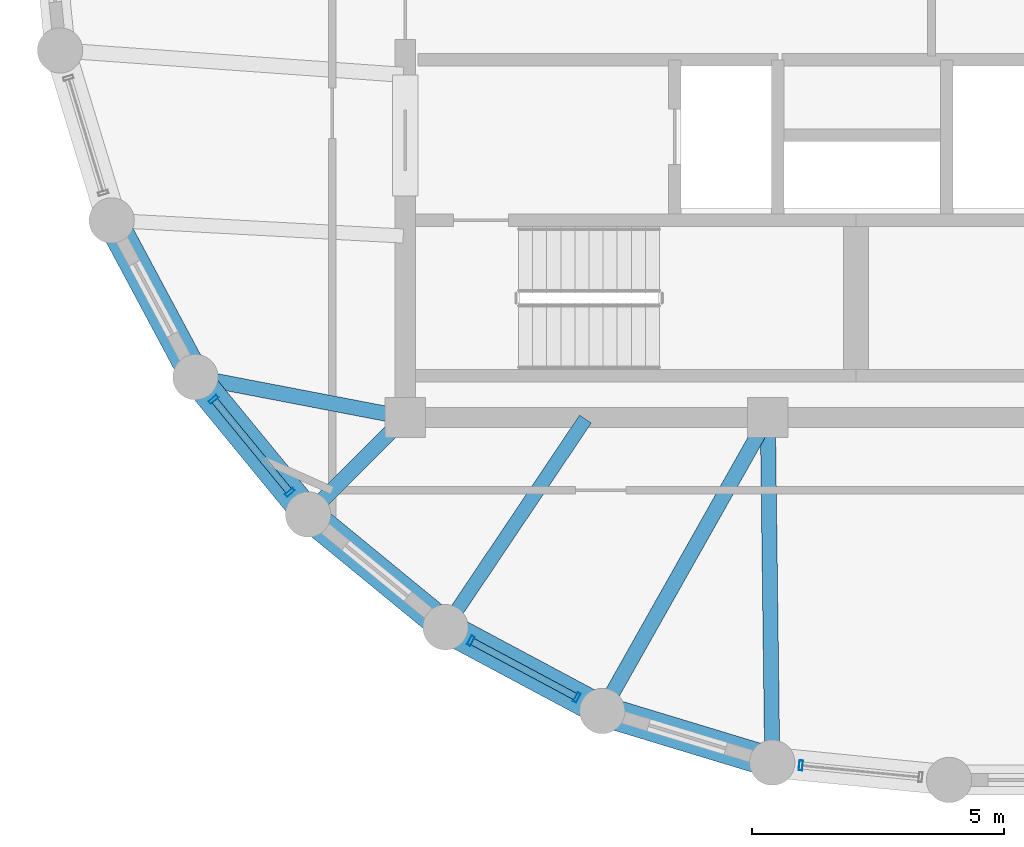
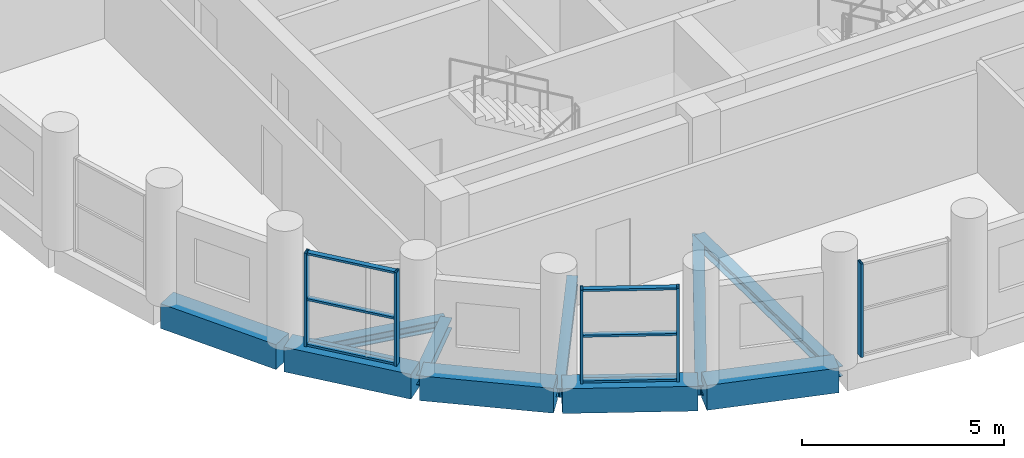
# One storey, part 2 of 17: 11 members, 10 beams, 3 elements without a shape of their own.
"""IFC4 building model written with IfcOpenShell, lengths in metres."""

from ifc_helpers import new_model, si_unit, direction, frame, origin, origin_2d, place, context, subcontext, project, spatial, rectangle, hollow_rectangle, i_section, extrude, material, layer, layer_set, material_profile, profile_set, type_object, element, aggregate, save


model = new_model("IFC4")

# Units and contexts
model_context = context("Model", 3, precision=1e-05, world=origin(), true_north=direction((0.0, 1.0)))
body_context = subcontext(model_context, "Body", "Model", "MODEL_VIEW")
ifc_project = project(units=[si_unit("LENGTHUNIT", "METRE"), si_unit("AREAUNIT", "SQUARE_METRE"), si_unit("VOLUMEUNIT", "CUBIC_METRE"), si_unit("PLANEANGLEUNIT", "RADIAN"), si_unit("MASSUNIT", "GRAM", prefix="KILO")], contexts=[model_context])

# Site, building, storey
site_placement = place(None, origin())
site = spatial("IfcSite", under=ifc_project, at=site_placement, CompositionType="ELEMENT")
building_placement = place(site_placement, origin())
building = spatial("IfcBuilding", under=site, at=building_placement, Name="Solnavia Interchange Tower", CompositionType="ELEMENT")
storey_placement = place(building_placement, frame((0.0, 0.0, 291.800048828125)))
storey = spatial("IfcBuildingStorey", under=building, at=storey_placement, Name="L74", CompositionType="ELEMENT", Elevation=291.800048828125)

# Beams
ifc_material_1 = material(Name="Steel S460", Category="steel")
ifc_material_profile_1 = material_profile(ifc_material_1, i_section(OverallWidth=0.300048828125, OverallDepth=0.300048828125, WebThickness=0.010986328125, FlangeThickness=0.01904296875, FilletRadius=0.027099609375, at=origin_2d()), Name="HEB 300")
ifc_profile_set_1 = profile_set([ifc_material_profile_1], Name="Steel S460")
beam_type_1 = type_object("IfcBeamType", Name="Beam-Girder-HEB300", PredefinedType="BEAM", material=ifc_profile_set_1)
beam_1_placement = place(storey_placement, frame((10.3125, 11.5849609375, -0.400146484375), z_axis=(0.982057527796, -0.188581579428, 0.0), x_axis=(0.188581579428, 0.982057527796, 0.0)))
element("IfcBeam", 1, at=beam_1_placement, inside=storey, type_object=beam_type_1, Name="GRD-L74-DR07 Drum radial floor girder", PredefinedType="BEAM", context=body_context, shape_type="SweptSolid", body=[
    extrude(i_section(OverallWidth=0.300048828125, OverallDepth=0.300048828125, WebThickness=0.010986328125, FlangeThickness=0.01904296875, FilletRadius=0.027099609375, at=origin_2d()), origin(), (0.0, 0.0, 1.0), 4.1220703125),
])
beam_2_placement = place(storey_placement, frame((18.351318359375, 5.039794921875, -0.400146484375), z_axis=(0.491243158486, 0.871022479182, 0.0), x_axis=(-0.871022479182, 0.491243158486, 0.0)))
element("IfcBeam", 2, at=beam_2_placement, inside=storey, type_object=beam_type_1, Name="GRD-L74-DR10 Drum radial floor girder", PredefinedType="BEAM", context=body_context, shape_type="SweptSolid", body=[
    extrude(i_section(OverallWidth=0.300048828125, OverallDepth=0.300048828125, WebThickness=0.010986328125, FlangeThickness=0.01904296875, FilletRadius=0.027099609375, at=origin_2d()), origin(), (0.0, 0.0, 1.0), 6.5732421875),
])
ifc_material_2 = material(Name="Steel S355", Category="steel")
ifc_material_profile_2 = material_profile(ifc_material_2, i_section(OverallWidth=0.280029296875, OverallDepth=0.27001953125, WebThickness=0.008056640625, FlangeThickness=0.012939453125, FilletRadius=0.02392578125, at=origin_2d()), Name="HEA 280")
ifc_profile_set_2 = profile_set([ifc_material_profile_2], Name="Steel S355")
beam_type_2 = type_object("IfcBeamType", Name="Beam-Primary-HEA280", PredefinedType="BEAM", material=ifc_profile_set_2)
beam_3_placement = place(storey_placement, frame((15.24462890625, 6.700439453125, -0.385009765625), z_axis=(0.557835474219, 0.829951555033, 0.0), x_axis=(-0.829951555033, 0.557835474219, 0.0)))
element("IfcBeam", 3, at=beam_3_placement, inside=storey, type_object=beam_type_2, Name="GRD-L74-DR09 Drum radial floor girder", PredefinedType="BEAM", context=body_context, shape_type="SweptSolid", body=[
    extrude(i_section(OverallWidth=0.280029296875, OverallDepth=0.27001953125, WebThickness=0.008056640625, FlangeThickness=0.012939453125, FilletRadius=0.02392578125, at=origin_2d()), origin(), (0.0, 0.0, 1.0), 4.899658203125),
])
ifc_material_profile_3 = material_profile(ifc_material_2, i_section(OverallWidth=0.300048828125, OverallDepth=0.31005859375, WebThickness=0.009033203125, FlangeThickness=0.015380859375, FilletRadius=0.027099609375, at=origin_2d()), Name="HEA 320")
ifc_profile_set_3 = profile_set([ifc_material_profile_3], Name="Steel S355")
beam_type_3 = type_object("IfcBeamType", Name="Beam-Primary-HEA320", PredefinedType="BEAM", material=ifc_profile_set_3)
beam_4_placement = place(storey_placement, frame((12.528564453125, 8.9287109375, -0.405029296875), z_axis=(0.707106781187, 0.707106781187, 0.0), x_axis=(-0.707106781187, 0.707106781187, 0.0)))
element("IfcBeam", 4, at=beam_4_placement, inside=storey, type_object=beam_type_3, Name="GRD-L74-DR08 Drum radial floor girder", PredefinedType="BEAM", context=body_context, shape_type="SweptSolid", body=[
    extrude(i_section(OverallWidth=0.300048828125, OverallDepth=0.31005859375, WebThickness=0.009033203125, FlangeThickness=0.015380859375, FilletRadius=0.027099609375, at=origin_2d()), origin(), (0.0, 0.0, 1.0), 2.6064453125),
])
beam_5_placement = place(storey_placement, frame((21.68701171875, 4.02587890625, -0.405029296875), z_axis=(-0.01283293513, 0.999917654498, 0.0), x_axis=(-0.999917654498, -0.01283293513, 0.0)))
element("IfcBeam", 5, at=beam_5_placement, inside=storey, type_object=beam_type_3, Name="GRD-L74-DR11 Drum radial floor girder", PredefinedType="BEAM", context=body_context, shape_type="SweptSolid", body=[
    extrude(i_section(OverallWidth=0.300048828125, OverallDepth=0.31005859375, WebThickness=0.009033203125, FlangeThickness=0.015380859375, FilletRadius=0.027099609375, at=origin_2d()), origin(), (0.0, 0.0, 1.0), 6.734619140625),
])
ifc_material_3 = material(Name="Concrete C50/60", Category="concrete")
ifc_material_profile_4 = material_profile(ifc_material_3, rectangle(XDim=0.60009765625, YDim=0.75, at=origin_2d()), Name="RC 600x750")
ifc_profile_set_4 = profile_set([ifc_material_profile_4], Name="Concrete C50/60")
beam_type_4 = type_object("IfcBeamType", Name="Beam-Spandrel-RC600x750", PredefinedType="SPANDREL", material=ifc_profile_set_4)
beam_6_placement = place(storey_placement, frame((8.607666015625, 14.6416015625, -0.375), z_axis=(0.471509422952, -0.881861023102, 0.0), x_axis=(0.881861023102, 0.471509422952, 0.0)))
element("IfcBeam", 6, at=beam_6_placement, inside=storey, type_object=beam_type_4, Name="SPB-L74-03 Framed-tube perimeter spandrel beam", PredefinedType="SPANDREL", context=body_context, shape_type="SweptSolid", body=[
    extrude(rectangle(XDim=0.60009765625, YDim=0.75, at=origin_2d()), origin(), (0.0, 0.0, 1.0), 3.369140625),
])
for number, where, z_axis, x_axis, name in (
    (7, (10.28466796875, 11.5380859375, -0.375), (0.634298841675, -0.773087950656, 0.0), (0.773087950656, 0.634298841675, 0.0), "SPB-L74-04 Framed-tube perimeter spandrel beam"),
    (8, (12.53369140625, 8.8212890625, -0.375), (0.773152644452, -0.634219984214, 0.0), (0.634219984214, 0.773152644452, 0.0), "SPB-L74-05 Framed-tube perimeter spandrel beam"),
):
    element("IfcBeam", number, at=place(storey_placement, frame(where, z_axis=z_axis, x_axis=x_axis)), inside=storey, type_object=beam_type_4, Name=name, PredefinedType="SPANDREL", context=body_context, shape_type="SweptSolid", body=[
        extrude(rectangle(XDim=0.60009765625, YDim=0.75, at=origin_2d()), origin(), (0.0, 0.0, 1.0), 3.36865234375),
    ])
beam_7_placement = place(storey_placement, frame((15.2705078125, 6.59619140625, -0.375), z_axis=(0.881875044348, -0.47148319817, 0.0), x_axis=(0.47148319817, 0.881875044348, 0.0)))
element("IfcBeam", 9, at=beam_7_placement, inside=storey, type_object=beam_type_4, Name="SPB-L74-06 Framed-tube perimeter spandrel beam", PredefinedType="SPANDREL", context=body_context, shape_type="SweptSolid", body=[
    extrude(rectangle(XDim=0.60009765625, YDim=0.75, at=origin_2d()), origin(), (0.0, 0.0, 1.0), 3.368896484375),
])
beam_8_placement = place(storey_placement, frame((18.388671875, 4.94677734375, -0.375), z_axis=(0.956943884494, -0.290272978297, 0.0), x_axis=(0.290272978297, 0.956943884494, 0.0)))
element("IfcBeam", 10, at=beam_8_placement, inside=storey, type_object=beam_type_4, Name="SPB-L74-07 Framed-tube perimeter spandrel beam", PredefinedType="SPANDREL", context=body_context, shape_type="SweptSolid", body=[
    extrude(rectangle(XDim=0.60009765625, YDim=0.75, at=origin_2d()), origin(), (0.0, 0.0, 1.0), 3.36767578125),
])

# Curtain wall, members
ifc_material_4 = material(Name="Aluminium Alloy 6063-T6", Category="aluminium")
ifc_layer = layer(ifc_material_4, 0.219970703125)
ifc_layer_set = layer_set([ifc_layer], Name="Aluminium Alloy 6063-T6")
curtain_wall_type = type_object("IfcCurtainWallType", Name="CurtainWall-Tower-CTW3", PredefinedType="NOTDEFINED", material=ifc_layer_set)
curtain_wall_1_placement = place(storey_placement, origin())
curtain_wall_1 = element("IfcCurtainWall", 11, at=curtain_wall_1_placement, inside=storey, type_object=curtain_wall_type, Name="CTW-L74-S40 CTW-3 curtain wall", PredefinedType="NOTDEFINED")
ifc_material_profile_5 = material_profile(ifc_material_4, hollow_rectangle(XDim=0.070068359375, YDim=0.199951171875, WallThickness=0.0048828125, at=origin_2d()), Name="ALU 200x70x5")
ifc_profile_set_5 = profile_set([ifc_material_profile_5], Name="Aluminium Alloy 6063-T6")
member_type_1 = type_object("IfcMemberType", Name="CW-Mullion-CWM-3", PredefinedType="MULLION", material=ifc_profile_set_5)
member_1_placement = place(storey_placement, frame((10.595458984375, 11.159423828125, 0.0), z_axis=(0.0, 0.0, 1.0), x_axis=(0.634260514326, -0.773119395674, 0.0)))
member_1 = element("IfcMember", 12, at=member_1_placement, type_object=member_type_1, Name="CTW-3 mullion 1", PredefinedType="MULLION", context=body_context, shape_type="SweptSolid", body=[
    extrude(hollow_rectangle(XDim=0.070068359375, YDim=0.199951171875, WallThickness=0.0048828125, at=origin_2d()), origin(), (0.0, 0.0, 1.0), 2.829833984375),
])
member_2_placement = place(storey_placement, frame((12.110595703125, 9.312744140625, 0.0), z_axis=(0.0, 0.0, 1.0), x_axis=(0.634260514326, -0.773119395674, 0.0)))
member_2 = element("IfcMember", 13, at=member_2_placement, type_object=member_type_1, Name="CTW-3 mullion 2", PredefinedType="MULLION", context=body_context, shape_type="SweptSolid", body=[
    extrude(hollow_rectangle(XDim=0.070068359375, YDim=0.199951171875, WallThickness=0.0048828125, at=origin_2d()), origin(), (0.0, 0.0, 1.0), 2.829833984375),
])

curtain_wall_2_placement = place(storey_placement, origin())
curtain_wall_2 = element("IfcCurtainWall", 14, at=curtain_wall_2_placement, inside=storey, type_object=curtain_wall_type, Name="CTW-L74-S42 CTW-3 curtain wall", PredefinedType="NOTDEFINED")
member_3_placement = place(storey_placement, frame((15.70263671875, 6.365234375, 0.0), z_axis=(0.0, 0.0, 1.0), x_axis=(0.881859366806, -0.4715125207, 0.0)))
member_3 = element("IfcMember", 15, at=member_3_placement, type_object=member_type_1, Name="CTW-3 mullion 1", PredefinedType="MULLION", context=body_context, shape_type="SweptSolid", body=[
    extrude(hollow_rectangle(XDim=0.070068359375, YDim=0.199951171875, WallThickness=0.0048828125, at=origin_2d()), origin(), (0.0, 0.0, 1.0), 2.829833984375),
])
member_4_placement = place(storey_placement, frame((17.809326171875, 5.23876953125, 0.0), z_axis=(0.0, 0.0, 1.0), x_axis=(0.881859366806, -0.4715125207, 0.0)))
member_4 = element("IfcMember", 16, at=member_4_placement, type_object=member_type_1, Name="CTW-3 mullion 2", PredefinedType="MULLION", context=body_context, shape_type="SweptSolid", body=[
    extrude(hollow_rectangle(XDim=0.070068359375, YDim=0.199951171875, WallThickness=0.0048828125, at=origin_2d()), origin(), (0.0, 0.0, 1.0), 2.829833984375),
])

# Curtain wall, member
curtain_wall_3_placement = place(storey_placement, origin())
curtain_wall_3 = element("IfcCurtainWall", 17, at=curtain_wall_3_placement, inside=storey, type_object=curtain_wall_type, Name="CTW-L74-S44 CTW-3 curtain wall", PredefinedType="NOTDEFINED")
member_5_placement = place(storey_placement, frame((22.255126953125, 3.89013671875, 0.0), z_axis=(0.0, 0.0, 1.0), x_axis=(0.99518584375, -0.098005797786, 0.0)))
member_5 = element("IfcMember", 18, at=member_5_placement, type_object=member_type_1, Name="CTW-3 mullion 1", PredefinedType="MULLION", context=body_context, shape_type="SweptSolid", body=[
    extrude(hollow_rectangle(XDim=0.070068359375, YDim=0.199951171875, WallThickness=0.0048828125, at=origin_2d()), origin(), (0.0, 0.0, 1.0), 2.829833984375),
])
aggregate(curtain_wall_3, [member_5])

# Member
ifc_material_profile_6 = material_profile(ifc_material_4, hollow_rectangle(XDim=0.06494140625, YDim=0.139892578125, WallThickness=0.00390625, at=origin_2d()), Name="ALU 140x65x4")
ifc_profile_set_6 = profile_set([ifc_material_profile_6], Name="Aluminium Alloy 6063-T6")
member_type_2 = type_object("IfcMemberType", Name="CW-Transom-CWT-3", PredefinedType="USERDEFINED", material=ifc_profile_set_6)
member_6_placement = place(storey_placement, frame((10.61767578125, 11.13232421875, 0.032470703125), z_axis=(0.634252071729, -0.773126321831, 0.0), x_axis=(0.0, 0.0, 1.0)))
member_6 = element("IfcMember", 19, at=member_6_placement, type_object=member_type_2, Name="CTW-3 transom 1.1", ObjectType="TRANSOM", PredefinedType="USERDEFINED", context=body_context, shape_type="SweptSolid", body=[
    extrude(hollow_rectangle(XDim=0.06494140625, YDim=0.139892578125, WallThickness=0.00390625, at=origin_2d()), origin(), (0.0, 0.0, 1.0), 2.31884765625),
])

member_7_placement = place(storey_placement, frame((10.61767578125, 11.13232421875, 1.4150390625), z_axis=(0.634252071729, -0.773126321831, 0.0), x_axis=(0.0, 0.0, 1.0)))
member_7 = element("IfcMember", 20, at=member_7_placement, type_object=member_type_2, Name="CTW-3 transom 1.2", ObjectType="TRANSOM", PredefinedType="USERDEFINED", context=body_context, shape_type="SweptSolid", body=[
    extrude(hollow_rectangle(XDim=0.06494140625, YDim=0.139892578125, WallThickness=0.00390625, at=origin_2d()), origin(), (0.0, 0.0, 1.0), 2.31884765625),
])

member_8_placement = place(storey_placement, frame((10.61767578125, 11.13232421875, 2.79736328125), z_axis=(0.634252071729, -0.773126321831, 0.0), x_axis=(0.0, 0.0, 1.0)))
member_8 = element("IfcMember", 21, at=member_8_placement, type_object=member_type_2, Name="CTW-3 transom 1.3", ObjectType="TRANSOM", PredefinedType="USERDEFINED", context=body_context, shape_type="SweptSolid", body=[
    extrude(hollow_rectangle(XDim=0.06494140625, YDim=0.139892578125, WallThickness=0.00390625, at=origin_2d()), origin(), (0.0, 0.0, 1.0), 2.31884765625),
])

aggregate(curtain_wall_1, [member_1, member_2, member_6, member_7, member_8])

member_9_placement = place(storey_placement, frame((15.733642578125, 6.3486328125, 0.032470703125), z_axis=(0.881880346892, -0.471473280012, 0.0), x_axis=(0.0, 0.0, 1.0)))
member_9 = element("IfcMember", 22, at=member_9_placement, type_object=member_type_2, Name="CTW-3 transom 1.1", ObjectType="TRANSOM", PredefinedType="USERDEFINED", context=body_context, shape_type="SweptSolid", body=[
    extrude(hollow_rectangle(XDim=0.06494140625, YDim=0.139892578125, WallThickness=0.00390625, at=origin_2d()), origin(), (0.0, 0.0, 1.0), 2.31884765625),
])

member_10_placement = place(storey_placement, frame((15.733642578125, 6.3486328125, 1.4150390625), z_axis=(0.881880346892, -0.471473280012, 0.0), x_axis=(0.0, 0.0, 1.0)))
member_10 = element("IfcMember", 23, at=member_10_placement, type_object=member_type_2, Name="CTW-3 transom 1.2", ObjectType="TRANSOM", PredefinedType="USERDEFINED", context=body_context, shape_type="SweptSolid", body=[
    extrude(hollow_rectangle(XDim=0.06494140625, YDim=0.139892578125, WallThickness=0.00390625, at=origin_2d()), origin(), (0.0, 0.0, 1.0), 2.31884765625),
])

member_11_placement = place(storey_placement, frame((15.733642578125, 6.3486328125, 2.79736328125), z_axis=(0.881880346892, -0.471473280012, 0.0), x_axis=(0.0, 0.0, 1.0)))
member_11 = element("IfcMember", 24, at=member_11_placement, type_object=member_type_2, Name="CTW-3 transom 1.3", ObjectType="TRANSOM", PredefinedType="USERDEFINED", context=body_context, shape_type="SweptSolid", body=[
    extrude(hollow_rectangle(XDim=0.06494140625, YDim=0.139892578125, WallThickness=0.00390625, at=origin_2d()), origin(), (0.0, 0.0, 1.0), 2.31884765625),
])

aggregate(curtain_wall_2, [member_3, member_4, member_9, member_10, member_11])

save(model, "model.ifc")
